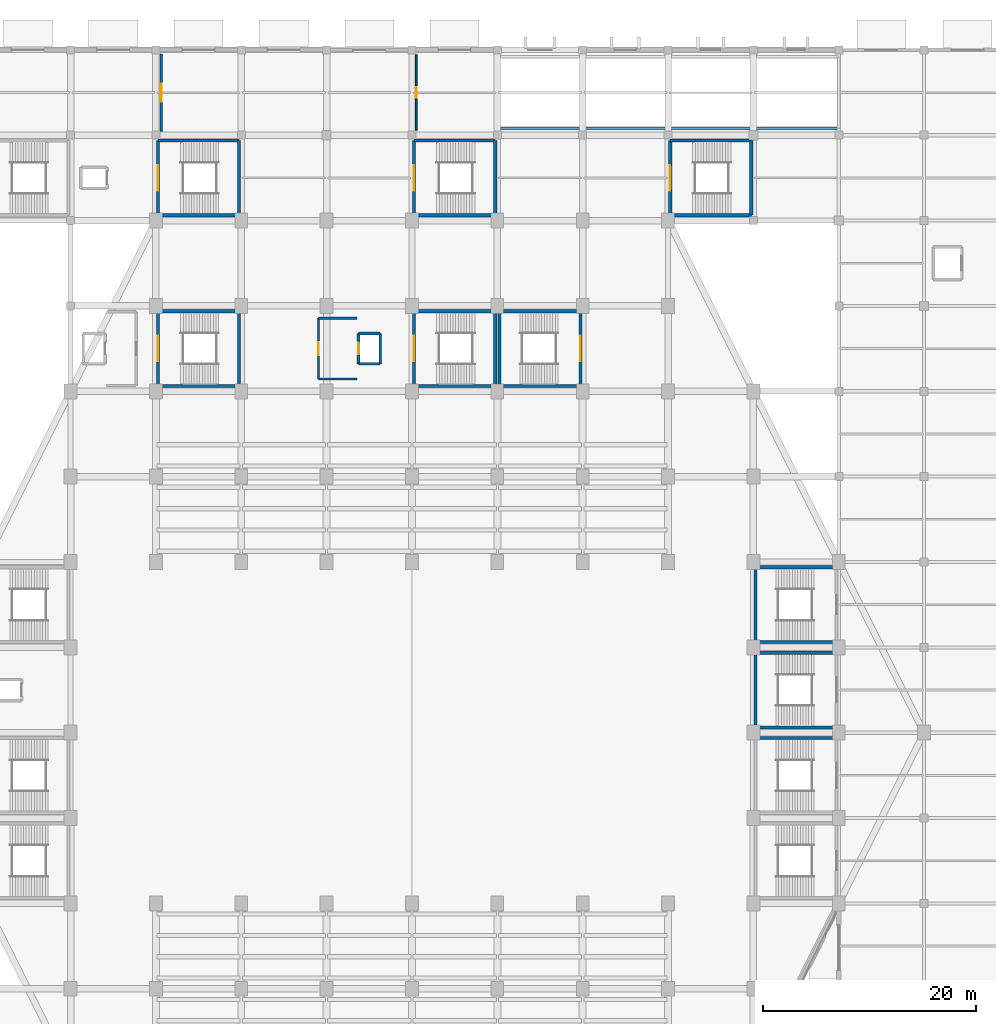
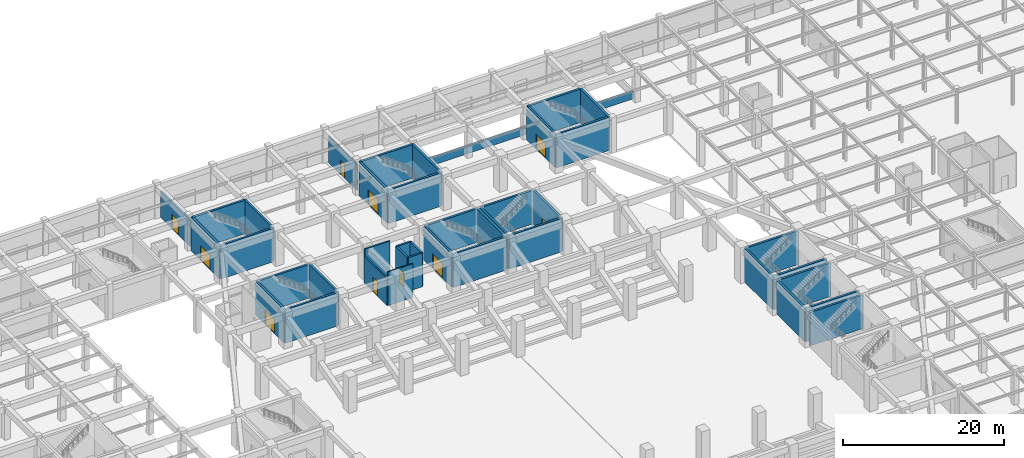
# One storey, part 28 of 39: 41 walls, 10 doors, 10 openings.
"""IFC4 building model written with IfcOpenShell, lengths in metres."""

from ifc_helpers import new_model, si_unit, direction, frame, frame_2d, origin, place, context, subcontext, project, spatial, rectangle, extrude, material, layer, layer_set, type_object, element, fill, save


model = new_model("IFC4")

# Units and contexts
model_context = context("Model", 3, precision=1e-05, world=origin(), true_north=direction((0.0, 1.0)))
body_context = subcontext(model_context, "Body", "Model", "MODEL_VIEW")
ifc_project = project(units=[si_unit("LENGTHUNIT", "METRE"), si_unit("AREAUNIT", "SQUARE_METRE"), si_unit("VOLUMEUNIT", "CUBIC_METRE"), si_unit("PLANEANGLEUNIT", "RADIAN"), si_unit("MASSUNIT", "GRAM", prefix="KILO")], contexts=[model_context])

# Site, building, storey
site_placement = place(None, origin())
site = spatial("IfcSite", under=ifc_project, at=site_placement, CompositionType="ELEMENT")
building_placement = place(site_placement, origin())
building = spatial("IfcBuilding", under=site, at=building_placement, Name="Tazarka Park Arena", CompositionType="ELEMENT")
storey_placement = place(building_placement, origin())
storey = spatial("IfcBuildingStorey", under=building, at=storey_placement, Name="L00", CompositionType="ELEMENT", Elevation=0.0)

# Wall
ifc_material_1 = material(Name="Concrete C40/50", Category="concrete")
ifc_layer_1 = layer(ifc_material_1, 0.300048828125, Name="Concrete C40/50")
ifc_layer_set_1 = layer_set([ifc_layer_1], Name="Concrete C40/50")
wall_type_1 = type_object("IfcWallType", Name="IWAL-CW-S1", PredefinedType="SHEAR", material=ifc_layer_set_1)
wall_1_placement = place(storey_placement, frame((71.800048828125, 112.5, 0.0), z_axis=(0.0, 0.0, 1.0), x_axis=(-1.0, 0.0, 0.0)))
element("IfcWall", 1, at=wall_1_placement, inside=storey, type_object=wall_type_1, Name="SCW-L00-ST06-S", PredefinedType="SHEAR", context=body_context, shape_type="SweptSolid", body=[
    extrude(rectangle(XDim=7.60009765625, YDim=0.300048828125, at=frame_2d((3.800048828125, 0.0))), origin(), (0.0, 0.0, 1.0), 5.080078125),
])

# Wall, opening, door
wall_2_placement = place(storey_placement, frame((64.199951171875, 112.5, 0.0), z_axis=(0.0, 0.0, 1.0), x_axis=(0.0, 1.0, 0.0)))
wall_2 = element("IfcWall", 2, at=wall_2_placement, inside=storey, type_object=wall_type_1, Name="SCW-L00-ST06-W", PredefinedType="SHEAR", context=body_context, shape_type="SweptSolid", body=[
    extrude(rectangle(XDim=7.0, YDim=0.300048828125, at=frame_2d((3.5, 0.0))), origin(), (0.0, 0.0, 1.0), 5.080078125),
])
opening_1_placement = place(wall_2_placement, frame((2.300048828125, 0.0, 0.0)))
opening_1 = element("IfcOpeningElement", 3, at=opening_1_placement, cuts=wall_2, Name="Opening ID-05", PredefinedType="OPENING", context=body_context, shape_type="SweptSolid", body=[
    extrude(rectangle(XDim=2.39990234375, YDim=2.199951171875, at=frame_2d((1.199951171875, 1.10009765625))), frame((0.0, 0.16015625, 0.0), z_axis=(0.0, -1.0, 0.0), x_axis=(1.0, 0.0, 0.0)), (0.0, 0.0, 1.0), 0.320068359375),
])
ifc_material_2 = material(Name="Fire-rated powder-coated steel and acoustic timber", Category="steel")
door_type_1 = type_object("IfcDoorType", Name="IDR-ID-05", OperationType="NOTDEFINED", PredefinedType="DOOR", material=ifc_material_2)
door_1_placement = place(opening_1_placement, origin())
door_1 = element("IfcDoor", 4, at=door_1_placement, inside=storey, type_object=door_type_1, Name="Exit Stair Door ST06-L00", OperationType="DOUBLE_DOOR_SINGLE_SWING", OverallHeight=2.199951171875, OverallWidth=2.39990234375, PredefinedType="DOOR", context=body_context, shape_type="SweptSolid", body=[
    extrude(rectangle(XDim=2.39990234375, YDim=2.199951171875, at=frame_2d((1.199951171875, 1.10009765625))), frame((0.0, 0.02490234375, 0.0), z_axis=(0.0, -1.0, 0.0), x_axis=(1.0, 0.0, 0.0)), (0.0, 0.0, 1.0), 0.050048828125),
])
fill(opening_1, door_1)

# Walls
wall_3_placement = place(storey_placement, frame((64.199951171875, 119.5, 0.0), z_axis=(0.0, 0.0, 1.0), x_axis=(1.0, 0.0, 0.0)))
element("IfcWall", 5, at=wall_3_placement, inside=storey, type_object=wall_type_1, Name="SCW-L00-ST06-N", PredefinedType="SHEAR", context=body_context, shape_type="SweptSolid", body=[
    extrude(rectangle(XDim=7.60009765625, YDim=0.300048828125, at=frame_2d((3.800048828125, 0.0))), origin(), (0.0, 0.0, 1.0), 5.080078125),
])
wall_4_placement = place(storey_placement, frame((71.800048828125, 119.5, 0.0), z_axis=(0.0, 0.0, 1.0), x_axis=(0.0, -1.0, 0.0)))
element("IfcWall", 6, at=wall_4_placement, inside=storey, type_object=wall_type_1, Name="SCW-L00-ST06-E", PredefinedType="SHEAR", context=body_context, shape_type="SweptSolid", body=[
    extrude(rectangle(XDim=7.0, YDim=0.300048828125, at=frame_2d((3.5, 0.0))), origin(), (0.0, 0.0, 1.0), 5.080078125),
])
wall_5_placement = place(storey_placement, frame((95.800048828125, 112.5, 0.0), z_axis=(0.0, 0.0, 1.0), x_axis=(-1.0, 0.0, 0.0)))
element("IfcWall", 7, at=wall_5_placement, inside=storey, type_object=wall_type_1, Name="SCW-L00-ST07-S", PredefinedType="SHEAR", context=body_context, shape_type="SweptSolid", body=[
    extrude(rectangle(XDim=7.60009765625, YDim=0.300048828125, at=frame_2d((3.800048828125, 0.0))), origin(), (0.0, 0.0, 1.0), 5.080078125),
])

# Wall, opening, door
wall_6_placement = place(storey_placement, frame((88.199951171875, 112.5, 0.0), z_axis=(0.0, 0.0, 1.0), x_axis=(0.0, 1.0, 0.0)))
wall_6 = element("IfcWall", 8, at=wall_6_placement, inside=storey, type_object=wall_type_1, Name="SCW-L00-ST07-W", PredefinedType="SHEAR", context=body_context, shape_type="SweptSolid", body=[
    extrude(rectangle(XDim=7.0, YDim=0.300048828125, at=frame_2d((3.5, 0.0))), origin(), (0.0, 0.0, 1.0), 5.080078125),
])
opening_2_placement = place(wall_6_placement, frame((2.300048828125, 0.0, 0.0)))
opening_2 = element("IfcOpeningElement", 9, at=opening_2_placement, cuts=wall_6, Name="Opening ID-05", PredefinedType="OPENING", context=body_context, shape_type="SweptSolid", body=[
    extrude(rectangle(XDim=2.39990234375, YDim=2.199951171875, at=frame_2d((1.199951171875, 1.10009765625))), frame((0.0, 0.16015625, 0.0), z_axis=(0.0, -1.0, 0.0), x_axis=(1.0, 0.0, 0.0)), (0.0, 0.0, 1.0), 0.320068359375),
])
door_2_placement = place(opening_2_placement, origin())
door_2 = element("IfcDoor", 10, at=door_2_placement, inside=storey, type_object=door_type_1, Name="Exit Stair Door ST07-L00", OperationType="DOUBLE_DOOR_SINGLE_SWING", OverallHeight=2.199951171875, OverallWidth=2.39990234375, PredefinedType="DOOR", context=body_context, shape_type="SweptSolid", body=[
    extrude(rectangle(XDim=2.39990234375, YDim=2.199951171875, at=frame_2d((1.199951171875, 1.10009765625))), frame((0.0, 0.02490234375, 0.0), z_axis=(0.0, -1.0, 0.0), x_axis=(1.0, 0.0, 0.0)), (0.0, 0.0, 1.0), 0.050048828125),
])
fill(opening_2, door_2)

# Walls
wall_7_placement = place(storey_placement, frame((88.199951171875, 119.5, 0.0), z_axis=(0.0, 0.0, 1.0), x_axis=(1.0, 0.0, 0.0)))
element("IfcWall", 11, at=wall_7_placement, inside=storey, type_object=wall_type_1, Name="SCW-L00-ST07-N", PredefinedType="SHEAR", context=body_context, shape_type="SweptSolid", body=[
    extrude(rectangle(XDim=7.60009765625, YDim=0.300048828125, at=frame_2d((3.800048828125, 0.0))), origin(), (0.0, 0.0, 1.0), 5.080078125),
])
wall_8_placement = place(storey_placement, frame((95.800048828125, 119.5, 0.0), z_axis=(0.0, 0.0, 1.0), x_axis=(0.0, -1.0, 0.0)))
element("IfcWall", 12, at=wall_8_placement, inside=storey, type_object=wall_type_1, Name="SCW-L00-ST07-E", PredefinedType="SHEAR", context=body_context, shape_type="SweptSolid", body=[
    extrude(rectangle(XDim=7.0, YDim=0.300048828125, at=frame_2d((3.5, 0.0))), origin(), (0.0, 0.0, 1.0), 5.080078125),
])
wall_9_placement = place(storey_placement, frame((119.800048828125, 112.5, 0.0), z_axis=(0.0, 0.0, 1.0), x_axis=(-1.0, 0.0, 0.0)))
element("IfcWall", 13, at=wall_9_placement, inside=storey, type_object=wall_type_1, Name="SCW-L00-ST08-S", PredefinedType="SHEAR", context=body_context, shape_type="SweptSolid", body=[
    extrude(rectangle(XDim=7.60009765625, YDim=0.300048828125, at=frame_2d((3.800048828125, 0.0))), origin(), (0.0, 0.0, 1.0), 5.080078125),
])

# Wall, opening, door
wall_10_placement = place(storey_placement, frame((112.199951171875, 112.5, 0.0), z_axis=(0.0, 0.0, 1.0), x_axis=(0.0, 1.0, 0.0)))
wall_10 = element("IfcWall", 14, at=wall_10_placement, inside=storey, type_object=wall_type_1, Name="SCW-L00-ST08-W", PredefinedType="SHEAR", context=body_context, shape_type="SweptSolid", body=[
    extrude(rectangle(XDim=7.0, YDim=0.300048828125, at=frame_2d((3.5, 0.0))), origin(), (0.0, 0.0, 1.0), 5.080078125),
])
opening_3_placement = place(wall_10_placement, frame((2.300048828125, 0.0, 0.0)))
opening_3 = element("IfcOpeningElement", 15, at=opening_3_placement, cuts=wall_10, Name="Opening ID-05", PredefinedType="OPENING", context=body_context, shape_type="SweptSolid", body=[
    extrude(rectangle(XDim=2.39990234375, YDim=2.199951171875, at=frame_2d((1.199951171875, 1.10009765625))), frame((0.0, 0.16015625, 0.0), z_axis=(0.0, -1.0, 0.0), x_axis=(1.0, 0.0, 0.0)), (0.0, 0.0, 1.0), 0.320068359375),
])
door_3_placement = place(opening_3_placement, origin())
door_3 = element("IfcDoor", 16, at=door_3_placement, inside=storey, type_object=door_type_1, Name="Exit Stair Door ST08-L00", OperationType="DOUBLE_DOOR_SINGLE_SWING", OverallHeight=2.199951171875, OverallWidth=2.39990234375, PredefinedType="DOOR", context=body_context, shape_type="SweptSolid", body=[
    extrude(rectangle(XDim=2.39990234375, YDim=2.199951171875, at=frame_2d((1.199951171875, 1.10009765625))), frame((0.0, 0.02490234375, 0.0), z_axis=(0.0, -1.0, 0.0), x_axis=(1.0, 0.0, 0.0)), (0.0, 0.0, 1.0), 0.050048828125),
])
fill(opening_3, door_3)

# Walls
wall_11_placement = place(storey_placement, frame((112.199951171875, 119.5, 0.0), z_axis=(0.0, 0.0, 1.0), x_axis=(1.0, 0.0, 0.0)))
element("IfcWall", 17, at=wall_11_placement, inside=storey, type_object=wall_type_1, Name="SCW-L00-ST08-N", PredefinedType="SHEAR", context=body_context, shape_type="SweptSolid", body=[
    extrude(rectangle(XDim=7.60009765625, YDim=0.300048828125, at=frame_2d((3.800048828125, 0.0))), origin(), (0.0, 0.0, 1.0), 5.080078125),
])
wall_12_placement = place(storey_placement, frame((119.800048828125, 119.5, 0.0), z_axis=(0.0, 0.0, 1.0), x_axis=(0.0, -1.0, 0.0)))
element("IfcWall", 18, at=wall_12_placement, inside=storey, type_object=wall_type_1, Name="SCW-L00-ST08-E", PredefinedType="SHEAR", context=body_context, shape_type="SweptSolid", body=[
    extrude(rectangle(XDim=7.0, YDim=0.300048828125, at=frame_2d((3.5, 0.0))), origin(), (0.0, 0.0, 1.0), 5.080078125),
])
wall_13_placement = place(storey_placement, frame((103.800048828125, 96.5, 0.0), z_axis=(0.0, 0.0, 1.0), x_axis=(-1.0, 0.0, 0.0)))
element("IfcWall", 19, at=wall_13_placement, inside=storey, type_object=wall_type_1, Name="SCW-L00-ST10-S", PredefinedType="SHEAR", context=body_context, shape_type="SweptSolid", body=[
    extrude(rectangle(XDim=7.60009765625, YDim=0.300048828125, at=frame_2d((3.800048828125, 0.0))), origin(), (0.0, 0.0, 1.0), 5.080078125),
])
wall_14_placement = place(storey_placement, frame((96.199951171875, 96.5, 0.0), z_axis=(0.0, 0.0, 1.0), x_axis=(0.0, 1.0, 0.0)))
element("IfcWall", 20, at=wall_14_placement, inside=storey, type_object=wall_type_1, Name="SCW-L00-ST10-W", PredefinedType="SHEAR", context=body_context, shape_type="SweptSolid", body=[
    extrude(rectangle(XDim=7.0, YDim=0.300048828125, at=frame_2d((3.5, 0.0))), origin(), (0.0, 0.0, 1.0), 5.080078125),
])
wall_15_placement = place(storey_placement, frame((96.199951171875, 103.5, 0.0), z_axis=(0.0, 0.0, 1.0), x_axis=(1.0, 0.0, 0.0)))
element("IfcWall", 21, at=wall_15_placement, inside=storey, type_object=wall_type_1, Name="SCW-L00-ST10-N", PredefinedType="SHEAR", context=body_context, shape_type="SweptSolid", body=[
    extrude(rectangle(XDim=7.60009765625, YDim=0.300048828125, at=frame_2d((3.800048828125, 0.0))), origin(), (0.0, 0.0, 1.0), 5.080078125),
])

# Wall, opening, door
wall_16_placement = place(storey_placement, frame((103.800048828125, 103.5, 0.0), z_axis=(0.0, 0.0, 1.0), x_axis=(0.0, -1.0, 0.0)))
wall_16 = element("IfcWall", 22, at=wall_16_placement, inside=storey, type_object=wall_type_1, Name="SCW-L00-ST10-E", PredefinedType="SHEAR", context=body_context, shape_type="SweptSolid", body=[
    extrude(rectangle(XDim=7.0, YDim=0.300048828125, at=frame_2d((3.5, 0.0))), origin(), (0.0, 0.0, 1.0), 5.080078125),
])
opening_4_placement = place(wall_16_placement, frame((2.300048828125, 0.0, 0.0)))
opening_4 = element("IfcOpeningElement", 23, at=opening_4_placement, cuts=wall_16, Name="Opening ID-05", PredefinedType="OPENING", context=body_context, shape_type="SweptSolid", body=[
    extrude(rectangle(XDim=2.39990234375, YDim=2.199951171875, at=frame_2d((1.199951171875, 1.10009765625))), frame((0.0, 0.16015625, 0.0), z_axis=(0.0, -1.0, 0.0), x_axis=(1.0, 0.0, 0.0)), (0.0, 0.0, 1.0), 0.320068359375),
])
door_4_placement = place(opening_4_placement, origin())
door_4 = element("IfcDoor", 24, at=door_4_placement, inside=storey, type_object=door_type_1, Name="Exit Stair Door ST10-L00", OperationType="DOUBLE_DOOR_SINGLE_SWING", OverallHeight=2.199951171875, OverallWidth=2.39990234375, PredefinedType="DOOR", context=body_context, shape_type="SweptSolid", body=[
    extrude(rectangle(XDim=2.39990234375, YDim=2.199951171875, at=frame_2d((1.199951171875, 1.10009765625))), frame((0.0, 0.02490234375, 0.0), z_axis=(0.0, -1.0, 0.0), x_axis=(1.0, 0.0, 0.0)), (0.0, 0.0, 1.0), 0.050048828125),
])
fill(opening_4, door_4)

# Walls
for number, where, z_axis, x_axis, name in (
    (25, (120.199951171875, 63.5, 0.0), (0.0, 0.0, 1.0), (1.0, 0.0, 0.0), "SCW-L00-ST12-N"),
    (26, (71.800048828125, 96.5, 0.0), (0.0, 0.0, 1.0), (-1.0, 0.0, 0.0), "SCW-L00-ST14-S"),
):
    element("IfcWall", number, at=place(storey_placement, frame(where, z_axis=z_axis, x_axis=x_axis)), inside=storey, type_object=wall_type_1, Name=name, PredefinedType="SHEAR", context=body_context, shape_type="SweptSolid", body=[
        extrude(rectangle(XDim=7.60009765625, YDim=0.300048828125, at=frame_2d((3.800048828125, 0.0))), origin(), (0.0, 0.0, 1.0), 5.080078125),
    ])

# Wall, opening, door
wall_17_placement = place(storey_placement, frame((64.199951171875, 96.5, 0.0), z_axis=(0.0, 0.0, 1.0), x_axis=(0.0, 1.0, 0.0)))
wall_17 = element("IfcWall", 27, at=wall_17_placement, inside=storey, type_object=wall_type_1, Name="SCW-L00-ST14-W", PredefinedType="SHEAR", context=body_context, shape_type="SweptSolid", body=[
    extrude(rectangle(XDim=7.0, YDim=0.300048828125, at=frame_2d((3.5, 0.0))), origin(), (0.0, 0.0, 1.0), 5.080078125),
])
opening_5_placement = place(wall_17_placement, frame((2.300048828125, 0.0, 0.0)))
opening_5 = element("IfcOpeningElement", 28, at=opening_5_placement, cuts=wall_17, Name="Opening ID-05", PredefinedType="OPENING", context=body_context, shape_type="SweptSolid", body=[
    extrude(rectangle(XDim=2.39990234375, YDim=2.199951171875, at=frame_2d((1.199951171875, 1.10009765625))), frame((0.0, 0.16015625, 0.0), z_axis=(0.0, -1.0, 0.0), x_axis=(1.0, 0.0, 0.0)), (0.0, 0.0, 1.0), 0.320068359375),
])
door_5_placement = place(opening_5_placement, origin())
door_5 = element("IfcDoor", 29, at=door_5_placement, inside=storey, type_object=door_type_1, Name="Exit Stair Door ST14-L00", OperationType="DOUBLE_DOOR_SINGLE_SWING", OverallHeight=2.199951171875, OverallWidth=2.39990234375, PredefinedType="DOOR", context=body_context, shape_type="SweptSolid", body=[
    extrude(rectangle(XDim=2.39990234375, YDim=2.199951171875, at=frame_2d((1.199951171875, 1.10009765625))), frame((0.0, 0.02490234375, 0.0), z_axis=(0.0, -1.0, 0.0), x_axis=(1.0, 0.0, 0.0)), (0.0, 0.0, 1.0), 0.050048828125),
])
fill(opening_5, door_5)

# Walls
wall_18_placement = place(storey_placement, frame((64.199951171875, 103.5, 0.0), z_axis=(0.0, 0.0, 1.0), x_axis=(1.0, 0.0, 0.0)))
element("IfcWall", 30, at=wall_18_placement, inside=storey, type_object=wall_type_1, Name="SCW-L00-ST14-N", PredefinedType="SHEAR", context=body_context, shape_type="SweptSolid", body=[
    extrude(rectangle(XDim=7.60009765625, YDim=0.300048828125, at=frame_2d((3.800048828125, 0.0))), origin(), (0.0, 0.0, 1.0), 5.080078125),
])
wall_19_placement = place(storey_placement, frame((71.800048828125, 103.5, 0.0), z_axis=(0.0, 0.0, 1.0), x_axis=(0.0, -1.0, 0.0)))
element("IfcWall", 31, at=wall_19_placement, inside=storey, type_object=wall_type_1, Name="SCW-L00-ST14-E", PredefinedType="SHEAR", context=body_context, shape_type="SweptSolid", body=[
    extrude(rectangle(XDim=7.0, YDim=0.300048828125, at=frame_2d((3.5, 0.0))), origin(), (0.0, 0.0, 1.0), 5.080078125),
])
wall_20_placement = place(storey_placement, frame((95.800048828125, 96.5, 0.0), z_axis=(0.0, 0.0, 1.0), x_axis=(-1.0, 0.0, 0.0)))
element("IfcWall", 32, at=wall_20_placement, inside=storey, type_object=wall_type_1, Name="SCW-L00-ST15-S", PredefinedType="SHEAR", context=body_context, shape_type="SweptSolid", body=[
    extrude(rectangle(XDim=7.60009765625, YDim=0.300048828125, at=frame_2d((3.800048828125, 0.0))), origin(), (0.0, 0.0, 1.0), 5.080078125),
])

# Wall, opening, door
wall_21_placement = place(storey_placement, frame((88.199951171875, 96.5, 0.0), z_axis=(0.0, 0.0, 1.0), x_axis=(0.0, 1.0, 0.0)))
wall_21 = element("IfcWall", 33, at=wall_21_placement, inside=storey, type_object=wall_type_1, Name="SCW-L00-ST15-W", PredefinedType="SHEAR", context=body_context, shape_type="SweptSolid", body=[
    extrude(rectangle(XDim=7.0, YDim=0.300048828125, at=frame_2d((3.5, 0.0))), origin(), (0.0, 0.0, 1.0), 5.080078125),
])
opening_6_placement = place(wall_21_placement, frame((2.300048828125, 0.0, 0.0)))
opening_6 = element("IfcOpeningElement", 34, at=opening_6_placement, cuts=wall_21, Name="Opening ID-05", PredefinedType="OPENING", context=body_context, shape_type="SweptSolid", body=[
    extrude(rectangle(XDim=2.39990234375, YDim=2.199951171875, at=frame_2d((1.199951171875, 1.10009765625))), frame((0.0, 0.16015625, 0.0), z_axis=(0.0, -1.0, 0.0), x_axis=(1.0, 0.0, 0.0)), (0.0, 0.0, 1.0), 0.320068359375),
])
door_6_placement = place(opening_6_placement, origin())
door_6 = element("IfcDoor", 35, at=door_6_placement, inside=storey, type_object=door_type_1, Name="Exit Stair Door ST15-L00", OperationType="DOUBLE_DOOR_SINGLE_SWING", OverallHeight=2.199951171875, OverallWidth=2.39990234375, PredefinedType="DOOR", context=body_context, shape_type="SweptSolid", body=[
    extrude(rectangle(XDim=2.39990234375, YDim=2.199951171875, at=frame_2d((1.199951171875, 1.10009765625))), frame((0.0, 0.02490234375, 0.0), z_axis=(0.0, -1.0, 0.0), x_axis=(1.0, 0.0, 0.0)), (0.0, 0.0, 1.0), 0.050048828125),
])
fill(opening_6, door_6)

# Walls
wall_22_placement = place(storey_placement, frame((88.199951171875, 103.5, 0.0), z_axis=(0.0, 0.0, 1.0), x_axis=(1.0, 0.0, 0.0)))
element("IfcWall", 36, at=wall_22_placement, inside=storey, type_object=wall_type_1, Name="SCW-L00-ST15-N", PredefinedType="SHEAR", context=body_context, shape_type="SweptSolid", body=[
    extrude(rectangle(XDim=7.60009765625, YDim=0.300048828125, at=frame_2d((3.800048828125, 0.0))), origin(), (0.0, 0.0, 1.0), 5.080078125),
])
wall_23_placement = place(storey_placement, frame((95.800048828125, 103.5, 0.0), z_axis=(0.0, 0.0, 1.0), x_axis=(0.0, -1.0, 0.0)))
element("IfcWall", 37, at=wall_23_placement, inside=storey, type_object=wall_type_1, Name="SCW-L00-ST15-E", PredefinedType="SHEAR", context=body_context, shape_type="SweptSolid", body=[
    extrude(rectangle(XDim=7.0, YDim=0.300048828125, at=frame_2d((3.5, 0.0))), origin(), (0.0, 0.0, 1.0), 5.080078125),
])
wall_24_placement = place(storey_placement, frame((127.800048828125, 64.5, 0.0), z_axis=(0.0, 0.0, 1.0), x_axis=(-1.0, 0.0, 0.0)))
element("IfcWall", 38, at=wall_24_placement, inside=storey, type_object=wall_type_1, Name="SCW-L00-ST16-S", PredefinedType="SHEAR", context=body_context, shape_type="SweptSolid", body=[
    extrude(rectangle(XDim=7.60009765625, YDim=0.300048828125, at=frame_2d((3.800048828125, 0.0))), origin(), (0.0, 0.0, 1.0), 5.080078125),
])
wall_25_placement = place(storey_placement, frame((120.199951171875, 64.5, 0.0), z_axis=(0.0, 0.0, 1.0), x_axis=(0.0, 1.0, 0.0)))
element("IfcWall", 39, at=wall_25_placement, inside=storey, type_object=wall_type_1, Name="SCW-L00-ST16-W", PredefinedType="SHEAR", context=body_context, shape_type="SweptSolid", body=[
    extrude(rectangle(XDim=7.0, YDim=0.300048828125, at=frame_2d((3.5, 0.0))), origin(), (0.0, 0.0, 1.0), 5.080078125),
])
for number, where, z_axis, x_axis, name in (
    (40, (120.199951171875, 71.5, 0.0), (0.0, 0.0, 1.0), (1.0, 0.0, 0.0), "SCW-L00-ST16-N"),
    (41, (127.800048828125, 72.5, 0.0), (0.0, 0.0, 1.0), (-1.0, 0.0, 0.0), "SCW-L00-ST22-S"),
):
    element("IfcWall", number, at=place(storey_placement, frame(where, z_axis=z_axis, x_axis=x_axis)), inside=storey, type_object=wall_type_1, Name=name, PredefinedType="SHEAR", context=body_context, shape_type="SweptSolid", body=[
        extrude(rectangle(XDim=7.60009765625, YDim=0.300048828125, at=frame_2d((3.800048828125, 0.0))), origin(), (0.0, 0.0, 1.0), 5.080078125),
    ])
wall_26_placement = place(storey_placement, frame((120.199951171875, 72.5, 0.0), z_axis=(0.0, 0.0, 1.0), x_axis=(0.0, 1.0, 0.0)))
element("IfcWall", 42, at=wall_26_placement, inside=storey, type_object=wall_type_1, Name="SCW-L00-ST22-W", PredefinedType="SHEAR", context=body_context, shape_type="SweptSolid", body=[
    extrude(rectangle(XDim=7.0, YDim=0.300048828125, at=frame_2d((3.5, 0.0))), origin(), (0.0, 0.0, 1.0), 5.080078125),
])
wall_27_placement = place(storey_placement, frame((120.199951171875, 79.5, 0.0), z_axis=(0.0, 0.0, 1.0), x_axis=(1.0, 0.0, 0.0)))
element("IfcWall", 43, at=wall_27_placement, inside=storey, type_object=wall_type_1, Name="SCW-L00-ST22-N", PredefinedType="SHEAR", context=body_context, shape_type="SweptSolid", body=[
    extrude(rectangle(XDim=7.60009765625, YDim=0.300048828125, at=frame_2d((3.800048828125, 0.0))), origin(), (0.0, 0.0, 1.0), 5.080078125),
])

# Wall, opening, door
ifc_material_3 = material(Name="Concrete C40/50", Category="concrete")
ifc_layer_2 = layer(ifc_material_3, 0.260009765625, Name="Concrete C40/50")
ifc_layer_set_2 = layer_set([ifc_layer_2], Name="Concrete C40/50")
wall_type_2 = type_object("IfcWallType", Name="IWAL-CW-S3", PredefinedType="SHEAR", material=ifc_layer_set_2)
wall_28_placement = place(storey_placement, frame((82.97998046875, 98.580078125, 0.0), z_axis=(0.0, 0.0, 1.0), x_axis=(0.0, 1.0, 0.0)))
wall_28 = element("IfcWall", 44, at=wall_28_placement, inside=storey, type_object=wall_type_2, Name="LSW-L00-LF-03-W", PredefinedType="SHEAR", context=body_context, shape_type="SweptSolid", body=[
    extrude(rectangle(XDim=2.83984375, YDim=0.260009765625, at=frame_2d((1.419921875, 0.0))), origin(), (0.0, 0.0, 1.0), 5.080078125),
])
opening_7_placement = place(wall_28_placement, frame((0.8701171875, 0.0, 0.0)))
opening_7 = element("IfcOpeningElement", 45, at=opening_7_placement, cuts=wall_28, Name="Opening LD-01", PredefinedType="OPENING", context=body_context, shape_type="SweptSolid", body=[
    extrude(rectangle(XDim=1.10009765625, YDim=2.14990234375, at=frame_2d((0.550048828125, 1.074951171875))), frame((0.0, 0.14013671875, 0.0), z_axis=(0.0, -1.0, 0.0), x_axis=(1.0, 0.0, 0.0)), (0.0, 0.0, 1.0), 0.280029296875),
])
ifc_material_4 = material(Name="Fire-rated powder-coated steel and acoustic timber", Category="steel")
door_type_2 = type_object("IfcDoorType", Name="IDR-LD-01", OperationType="NOTDEFINED", PredefinedType="DOOR", material=ifc_material_4)
door_7_placement = place(opening_7_placement, origin())
door_7 = element("IfcDoor", 46, at=door_7_placement, inside=storey, type_object=door_type_2, Name="Lift Landing Door LF-03-L00", OperationType="SLIDING_TO_LEFT", OverallHeight=2.14990234375, OverallWidth=1.10009765625, PredefinedType="DOOR", context=body_context, shape_type="SweptSolid", body=[
    extrude(rectangle(XDim=1.10009765625, YDim=2.14990234375, at=frame_2d((0.550048828125, 1.074951171875))), frame((0.0, 0.02490234375, 0.0), z_axis=(0.0, -1.0, 0.0), x_axis=(1.0, 0.0, 0.0)), (0.0, 0.0, 1.0), 0.050048828125),
])
fill(opening_7, door_7)

# Walls
for number, where, z_axis, x_axis, name in (
    (47, (82.97998046875, 101.419921875, 0.0), (0.0, 0.0, 1.0), (1.0, 0.0, 0.0), "LSW-L00-LF-03-N"),
    (48, (85.02001953125, 98.580078125, 0.0), (0.0, 0.0, 1.0), (-1.0, 0.0, 0.0), "LSW-L00-LF-03-S"),
):
    element("IfcWall", number, at=place(storey_placement, frame(where, z_axis=z_axis, x_axis=x_axis)), inside=storey, type_object=wall_type_2, Name=name, PredefinedType="SHEAR", context=body_context, shape_type="SweptSolid", body=[
        extrude(rectangle(XDim=2.0400390625, YDim=0.260009765625, at=frame_2d((1.02001953125, 0.0))), origin(), (0.0, 0.0, 1.0), 5.080078125),
    ])
wall_29_placement = place(storey_placement, frame((85.02001953125, 101.419921875, 0.0), z_axis=(0.0, 0.0, 1.0), x_axis=(0.0, -1.0, 0.0)))
element("IfcWall", 49, at=wall_29_placement, inside=storey, type_object=wall_type_2, Name="LSW-L00-LF-03-E", PredefinedType="SHEAR", context=body_context, shape_type="SweptSolid", body=[
    extrude(rectangle(XDim=2.83984375, YDim=0.260009765625, at=frame_2d((1.419921875, 0.0))), origin(), (0.0, 0.0, 1.0), 5.080078125),
])
ifc_material_5 = material(Name="Reinforced masonry compartment wall", Category="masonry")
ifc_layer_3 = layer(ifc_material_5, 0.199951171875, Name="Reinforced masonry compartment wall")
ifc_layer_set_3 = layer_set([ifc_layer_3], Name="Reinforced masonry compartment wall")
wall_type_3 = type_object("IfcWallType", Name="IWAL-PT-04", PredefinedType="PARTITIONING", material=ifc_layer_set_3)
for number, where, z_axis, x_axis, name in (
    (50, (79.25, 102.85009765625, 0.0), (0.0, 0.0, 1.0), (1.0, 0.0, 0.0), "FFW-L00-LF-03-N"),
    (51, (82.85009765625, 97.14990234375, 0.0), (0.0, 0.0, 1.0), (-1.0, 0.0, 0.0), "FFW-L00-LF-03-S"),
):
    element("IfcWall", number, at=place(storey_placement, frame(where, z_axis=z_axis, x_axis=x_axis)), inside=storey, type_object=wall_type_3, Name=name, PredefinedType="PARTITIONING", context=body_context, shape_type="SweptSolid", body=[
        extrude(rectangle(XDim=3.60009765625, YDim=0.199951171875, at=frame_2d((1.800048828125, 0.0))), origin(), (0.0, 0.0, 1.0), 5.080078125),
    ])

# Wall, opening, door
wall_30_placement = place(storey_placement, frame((79.25, 97.14990234375, 0.0), z_axis=(0.0, 0.0, 1.0), x_axis=(0.0, 1.0, 0.0)))
wall_30 = element("IfcWall", 52, at=wall_30_placement, inside=storey, type_object=wall_type_3, Name="FFW-L00-LF-03-E", PredefinedType="PARTITIONING", context=body_context, shape_type="SweptSolid", body=[
    extrude(rectangle(XDim=5.7001953125, YDim=0.199951171875, at=frame_2d((2.85009765625, 0.0))), origin(), (0.0, 0.0, 1.0), 4.050048828125),
])
opening_8_placement = place(wall_30_placement, frame((2.25, 0.0, 0.0)))
opening_8 = element("IfcOpeningElement", 53, at=opening_8_placement, cuts=wall_30, Name="Opening ID-03", PredefinedType="OPENING", context=body_context, shape_type="SweptSolid", body=[
    extrude(rectangle(XDim=1.199951171875, YDim=2.199951171875, at=frame_2d((0.60009765625, 1.10009765625))), frame((0.0, 0.10986328125, 0.0), z_axis=(0.0, -1.0, 0.0), x_axis=(1.0, 0.0, 0.0)), (0.0, 0.0, 1.0), 0.219970703125),
])
ifc_material_6 = material(Name="Fire-rated powder-coated steel and acoustic timber", Category="steel")
door_type_3 = type_object("IfcDoorType", Name="IDR-ID-03", OperationType="NOTDEFINED", PredefinedType="DOOR", material=ifc_material_6)
door_8_placement = place(opening_8_placement, origin())
door_8 = element("IfcDoor", 54, at=door_8_placement, inside=storey, type_object=door_type_3, Name="Firefighting Lobby Door LF-03-L00", OperationType="SINGLE_SWING_RIGHT", OverallHeight=2.199951171875, OverallWidth=1.199951171875, PredefinedType="DOOR", context=body_context, shape_type="SweptSolid", body=[
    extrude(rectangle(XDim=1.199951171875, YDim=2.199951171875, at=frame_2d((0.60009765625, 1.10009765625))), frame((0.0, 0.02490234375, 0.0), z_axis=(0.0, -1.0, 0.0), x_axis=(1.0, 0.0, 0.0)), (0.0, 0.0, 1.0), 0.050048828125),
])
fill(opening_8, door_8)

ifc_material_7 = material(Name="Broadcast isolation masonry wall", Category="masonry")
ifc_layer_4 = layer(ifc_material_7, 0.22998046875, Name="Broadcast isolation masonry wall")
ifc_layer_set_4 = layer_set([ifc_layer_4], Name="Broadcast isolation masonry wall")
wall_type_4 = type_object("IfcWallType", Name="IWAL-PT-13", PredefinedType="PARTITIONING", material=ifc_layer_set_4)
wall_31_placement = place(storey_placement, frame((64.5, 120.365478515625, 0.0), z_axis=(0.0, 0.0, 1.0), x_axis=(0.0, 1.0, 0.0)))
wall_31 = element("IfcWall", 55, at=wall_31_placement, inside=storey, type_object=wall_type_4, Name="PRT-L00-011", PredefinedType="PARTITIONING", context=body_context, shape_type="SweptSolid", body=[
    extrude(rectangle(XDim=7.254638671875, YDim=0.22998046875, at=frame_2d((3.62744140625, 0.0))), origin(), (0.0, 0.0, 1.0), 4.050048828125),
])
opening_9_placement = place(wall_31_placement, frame((2.77734375, 0.0, 0.0)))
opening_9 = element("IfcOpeningElement", 56, at=opening_9_placement, cuts=wall_31, Name="Opening ID-12", PredefinedType="OPENING", context=body_context, shape_type="SweptSolid", body=[
    extrude(rectangle(XDim=1.699951171875, YDim=2.199951171875, at=frame_2d((0.85009765625, 1.10009765625))), frame((0.0, 0.125, 0.0), z_axis=(0.0, -1.0, 0.0), x_axis=(1.0, 0.0, 0.0)), (0.0, 0.0, 1.0), 0.25),
])
ifc_material_8 = material(Name="Fire-rated powder-coated steel and acoustic timber", Category="steel")
door_type_4 = type_object("IfcDoorType", Name="IDR-ID-12", OperationType="NOTDEFINED", PredefinedType="DOOR", material=ifc_material_8)
door_9_placement = place(opening_9_placement, origin())
door_9 = element("IfcDoor", 57, at=door_9_placement, inside=storey, type_object=door_type_4, Name="Room Door Visiting Team Athlete Dressing Suite", OperationType="DOUBLE_DOOR_SINGLE_SWING", OverallHeight=2.199951171875, OverallWidth=1.699951171875, PredefinedType="DOOR", context=body_context, shape_type="SweptSolid", body=[
    extrude(rectangle(XDim=1.699951171875, YDim=2.199951171875, at=frame_2d((0.85009765625, 1.10009765625))), frame((0.0, 0.02490234375, 0.0), z_axis=(0.0, -1.0, 0.0), x_axis=(1.0, 0.0, 0.0)), (0.0, 0.0, 1.0), 0.050048828125),
])
fill(opening_9, door_9)

ifc_material_9 = material(Name="Insulated gypsum stud partition")
ifc_layer_5 = layer(ifc_material_9, 0.14501953125, Name="Insulated gypsum stud partition")
ifc_layer_set_5 = layer_set([ifc_layer_5], Name="Insulated gypsum stud partition")
wall_type_5 = type_object("IfcWallType", Name="IWAL-PT-16", PredefinedType="PARTITIONING", material=ifc_layer_set_5)
wall_32_placement = place(storey_placement, frame((88.39990234375, 120.47314453125, 0.0), z_axis=(0.0, 0.0, 1.0), x_axis=(0.0, 1.0, 0.0)))
wall_32 = element("IfcWall", 58, at=wall_32_placement, inside=storey, type_object=wall_type_5, Name="PRT-L00-014", PredefinedType="PARTITIONING", context=body_context, shape_type="SweptSolid", body=[
    extrude(rectangle(XDim=7.0537109375, YDim=0.14501953125, at=frame_2d((3.52685546875, 0.0))), origin(), (0.0, 0.0, 1.0), 4.050048828125),
])
opening_10_placement = place(wall_32_placement, frame((3.02685546875, 0.0, 0.0)))
opening_10 = element("IfcOpeningElement", 59, at=opening_10_placement, cuts=wall_32, Name="Opening ID-01", PredefinedType="OPENING", context=body_context, shape_type="SweptSolid", body=[
    extrude(rectangle(XDim=1.0, YDim=2.14990234375, at=frame_2d((0.5, 1.074951171875))), frame((0.0, 0.08251953125, 0.0), z_axis=(0.0, -1.0, 0.0), x_axis=(1.0, 0.0, 0.0)), (0.0, 0.0, 1.0), 0.1650390625),
])
ifc_material_10 = material(Name="Fire-rated powder-coated steel and acoustic timber", Category="steel")
door_type_5 = type_object("IfcDoorType", Name="IDR-ID-01", OperationType="NOTDEFINED", PredefinedType="DOOR", material=ifc_material_10)
door_10_placement = place(opening_10_placement, origin())
door_10 = element("IfcDoor", 60, at=door_10_placement, inside=storey, type_object=door_type_5, Name="Room Door Event Staging Operations and Logistics Marshal Office", OperationType="SINGLE_SWING_LEFT", OverallHeight=2.14990234375, OverallWidth=1.0, PredefinedType="DOOR", context=body_context, shape_type="SweptSolid", body=[
    extrude(rectangle(XDim=1.0, YDim=2.14990234375, at=frame_2d((0.5, 1.074951171875))), frame((0.0, 0.02490234375, 0.0), z_axis=(0.0, -1.0, 0.0), x_axis=(1.0, 0.0, 0.0)), (0.0, 0.0, 1.0), 0.050048828125),
])
fill(opening_10, door_10)

# Wall
ifc_material_11 = material(Name="Precast concrete C40/50", Category="concrete")
ifc_layer_6 = layer(ifc_material_11, 0.239990234375, Name="Precast concrete C40/50")
ifc_layer_set_6 = layer_set([ifc_layer_6], Name="Precast concrete C40/50")
wall_type_6 = type_object("IfcWallType", Name="WAL-PW-02", PredefinedType="PARAPET", material=ifc_layer_set_6)
wall_33_placement = place(storey_placement, frame((96.0, 120.64990234375, 0.0), z_axis=(0.0, 0.0, 1.0), x_axis=(1.0, 0.0, 0.0)))
element("IfcWall", 61, at=wall_33_placement, inside=storey, type_object=wall_type_6, Name="VRW-L00-S", PredefinedType="PARAPET", context=body_context, shape_type="SweptSolid", body=[
    extrude(rectangle(XDim=32.0, YDim=0.239990234375, at=frame_2d((16.0, 0.0))), origin(), (0.0, 0.0, 1.0), 1.14990234375),
])

save(model, "model.ifc")
